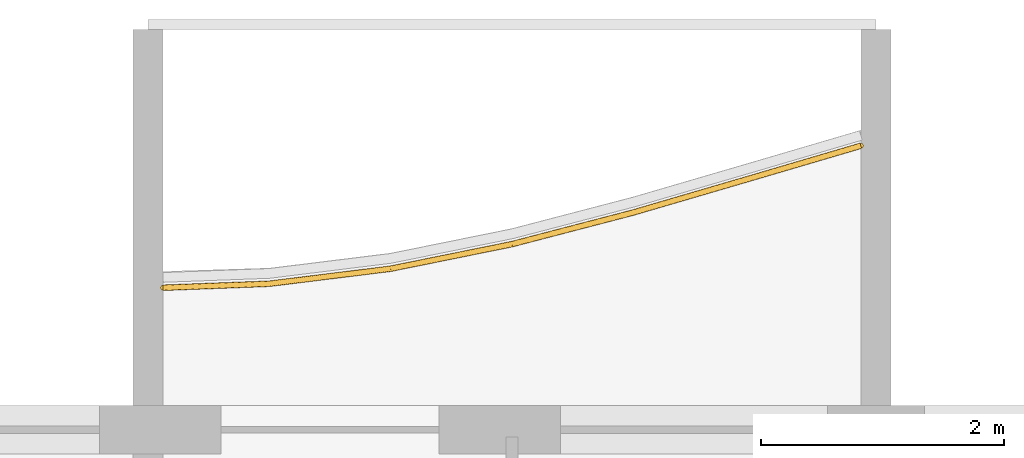
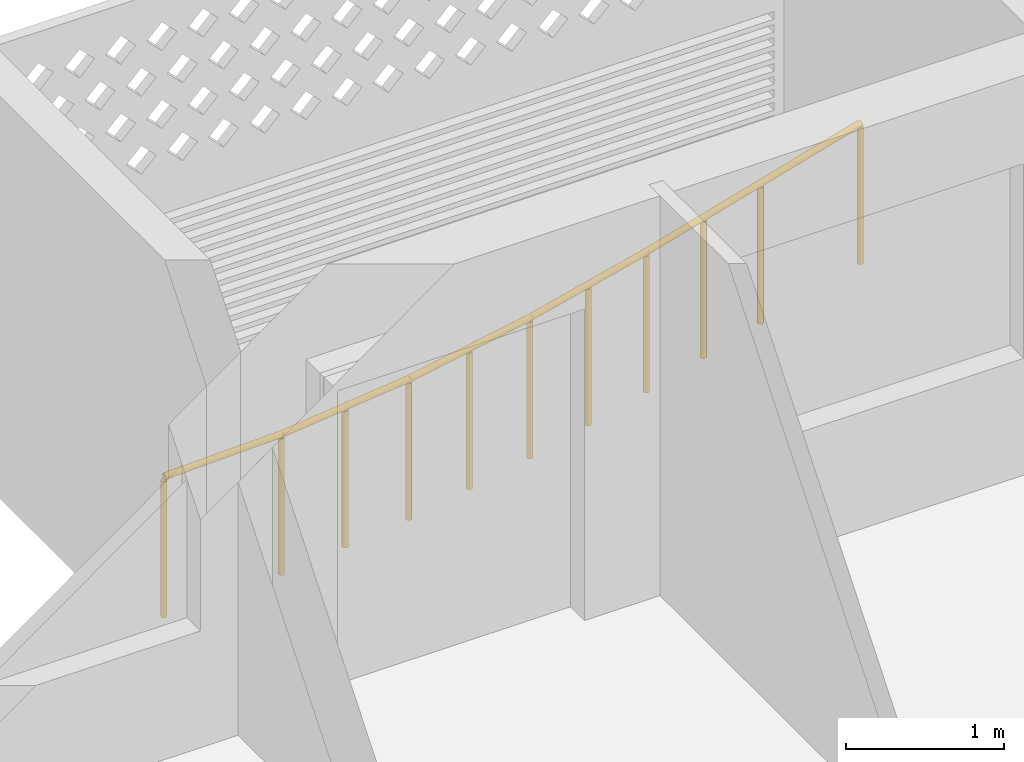
# One storey, part 22 of 27: 1 railing.
"""IFC4 building model written with IfcOpenShell, lengths in metres."""

import ifcopenshell
import ifcopenshell.guid

model = None  # the IFC model being written
_history = None  # IfcOwnerHistory: only IFC2X3 demands one
_inside = {}  # id of a spatial element -> (the spatial element, [elements in it])
_under = {}  # id of a project, library or spatial element -> (it, [spatial elements below it])
_declared = {}  # id of a project -> (the project, [libraries it declares])
_typed = {}  # id of a type object -> (the type object, [elements of that type])
_made_of = {}  # id of a material, layer set ... -> (it, [elements and type objects made of it])


def new_model(schema):
    """Start an empty IFC model of exactly this schema.

    Asked for "IFC4X3", IfcOpenShell would pick the latest addendum, in which some entities
    have other attributes; the version numbers below select the first issue.
    IFC2X3 requires an IfcOwnerHistory on every rooted entity: one is made here for all.
    """
    global model, _history
    if schema == "IFC4X3":
        model = ifcopenshell.file(schema_version=(4, 3, 0, 0))
    else:
        model = ifcopenshell.file(schema=schema)
    _inside.clear()
    _under.clear()
    _declared.clear()
    _typed.clear()
    _made_of.clear()
    _history = None
    if model.schema == "IFC2X3":
        org = make("IfcOrganization", Name="unknown")
        user = make(
            "IfcPersonAndOrganization",
            ThePerson=make("IfcPerson", FamilyName="unknown"),
            TheOrganization=org,
        )
        app = make(
            "IfcApplication",
            ApplicationDeveloper=org,
            Version="unknown",
            ApplicationFullName="unknown",
            ApplicationIdentifier="unknown",
        )
        _history = make(
            "IfcOwnerHistory",
            OwningUser=user,
            OwningApplication=app,
            ChangeAction="ADDED",
            CreationDate=0,
        )
    return model


def make(cls, **values):
    """One entity of the class cls with the attributes given. An attribute that is None is left unset."""
    return model.create_entity(
        cls, **{name: value for name, value in values.items() if value is not None}
    )


def rooted(cls, **values):
    """An entity with a GlobalId (a new one), such as an element, a storey or a relation."""
    return make(cls, GlobalId=ifcopenshell.guid.new(), OwnerHistory=_history, **values)


def si_unit(unit_type, name, prefix=None):
    """IfcSIUnit, for example si_unit("LENGTHUNIT", "METRE", prefix="MILLI")."""
    return make("IfcSIUnit", UnitType=unit_type, Prefix=prefix, Name=name)


def assignment(units):
    """IfcUnitAssignment: the units of a project."""
    return None if units is None else make("IfcUnitAssignment", Units=units)


def point(xyz):
    """IfcCartesianPoint."""
    return None if xyz is None else make("IfcCartesianPoint", Coordinates=xyz)


def direction(xyz):
    """IfcDirection."""
    return None if xyz is None else make("IfcDirection", DirectionRatios=xyz)


def frame(location, z_axis=None, x_axis=None):
    """IfcAxis2Placement3D, a coordinate frame: its origin and axes. An axis left out is left unset."""
    return make(
        "IfcAxis2Placement3D",
        Location=point(location),
        Axis=direction(z_axis),
        RefDirection=direction(x_axis),
    )


def frame_2d(location, x_axis=None):
    """IfcAxis2Placement2D, a coordinate frame in the plane: its origin and x axis."""
    return make(
        "IfcAxis2Placement2D", Location=point(location), RefDirection=direction(x_axis)
    )


def origin():
    """The frame at (0, 0, 0) with its axes left unset."""
    return frame((0.0, 0.0, 0.0))


def origin_2d():
    """The frame at (0, 0) in the plane with its x axis left unset."""
    return frame_2d((0.0, 0.0))


def place(relative_to, where):
    """IfcLocalPlacement: puts the frame where relative to a parent placement (None: the world)."""
    return make(
        "IfcLocalPlacement", PlacementRelTo=relative_to, RelativePlacement=where
    )


def context(
    kind, dimensions, precision=None, world=None, true_north=None, identifier=None
):
    """IfcGeometricRepresentationContext, for example the 3D "Model" context."""
    return make(
        "IfcGeometricRepresentationContext",
        ContextIdentifier=identifier,
        ContextType=kind,
        CoordinateSpaceDimension=dimensions,
        Precision=precision,
        WorldCoordinateSystem=world,
        TrueNorth=true_north,
    )


def subcontext(parent, identifier, kind, view, scale=None):
    """IfcGeometricRepresentationSubContext, for example "Body" below "Model"."""
    return make(
        "IfcGeometricRepresentationSubContext",
        ContextIdentifier=identifier,
        ContextType=kind,
        ParentContext=parent,
        TargetScale=scale,
        TargetView=view,
    )


def project(units=None, contexts=None):
    """IfcProject with its units and contexts."""
    return rooted(
        "IfcProject",
        Name="project",
        RepresentationContexts=contexts,
        UnitsInContext=assignment(units),
    )


def spatial(cls, under=None, at=None, **own):
    """A site, building, storey or space (cls), placed at a placement, below another one or the project."""
    s = rooted(cls, ObjectPlacement=at, **own)
    if under is not None:
        _under.setdefault(under.id(), (under, []))[1].append(s)
    return s


def profile(cls, at=None, kind="AREA", **sizes):
    """A parametric profile (cls). Its sizes go by their IFC names, for example OverallWidth=200.0."""
    return make(cls, ProfileType=kind, Position=at, **sizes)


def circle(**sizes):
    """IfcCircleProfileDef."""
    return profile("IfcCircleProfileDef", **sizes)


def extrude(swept, where, along, depth):
    """IfcExtrudedAreaSolid: the profile swept, set in the frame where, extruded along a direction by depth."""
    return make(
        "IfcExtrudedAreaSolid",
        SweptArea=swept,
        Position=where,
        ExtrudedDirection=direction(along),
        Depth=depth,
    )


def shape(context_of_items, identifier, shape_type, items):
    """IfcShapeRepresentation: the items that make up one representation, for example the "Body"."""
    return make(
        "IfcShapeRepresentation",
        ContextOfItems=context_of_items,
        RepresentationIdentifier=identifier,
        RepresentationType=shape_type,
        Items=items,
    )


def material(Name=None, Category=None):
    """IfcMaterial."""
    return make("IfcMaterial", Name=Name, Category=Category)


def made_of(thing, what):
    """Note that an element or type object is made of a material, layer set ...; save() writes the relation."""
    if what is not None:
        _made_of.setdefault(what.id(), (what, []))[1].append(thing)
    return thing


def type_object(cls, material=None, **own):
    """A type object (cls), such as IfcWallType, which elements share."""
    return made_of(rooted(cls, **own), material)


def element(
    cls,
    number,
    at=None,
    inside=None,
    cuts=None,
    type_object=None,
    material=None,
    context=None,
    identifier="Body",
    shape_type=None,
    held_by="IfcProductDefinitionShape",
    body=None,
    shapes=None,
    **own,
):
    """One element of the class cls, such as IfcWall. Its Tag is "e" and its number.

    at: its placement. inside: the storey or other place that contains it. cuts: it is an
    opening in that element (IfcRelVoidsElement). A single representation is given by context,
    identifier, shape_type and body (its items); several are given by shapes. held_by: the class
    of the entity that holds the representations. save() writes the other relations.
    """
    e = rooted(cls, Tag="e%d" % number, ObjectPlacement=at, **own)
    if body is not None:
        shapes = [shape(context, identifier, shape_type, body)]
    if shapes is not None:
        e.Representation = make(held_by, Representations=shapes)
    if inside is not None:
        _inside.setdefault(inside.id(), (inside, []))[1].append(e)
    if cuts is not None:
        rooted(
            "IfcRelVoidsElement", RelatingBuildingElement=cuts, RelatedOpeningElement=e
        )
    if type_object is not None:
        _typed.setdefault(type_object.id(), (type_object, []))[1].append(e)
    return made_of(e, material)


def aggregate(whole, parts):
    """IfcRelAggregates: a whole, such as a stair, and the parts it consists of."""
    return rooted("IfcRelAggregates", RelatingObject=whole, RelatedObjects=parts)


def save(model, path):
    """Write the relations noted so far, then the file.

    IfcRelAggregates (storeys below a building ...), IfcRelContainedInSpatialStructure (elements
    in a storey), IfcRelDefinesByType, IfcRelAssociatesMaterial and IfcRelDeclares: one each for
    every whole, place, type object, material and project.
    """
    for whole, parts in _under.values():
        aggregate(whole, parts)
    for where, things in _inside.values():
        rooted(
            "IfcRelContainedInSpatialStructure",
            RelatedElements=things,
            RelatingStructure=where,
        )
    for kind, things in _typed.values():
        rooted("IfcRelDefinesByType", RelatedObjects=things, RelatingType=kind)
    for what, things in _made_of.values():
        rooted("IfcRelAssociatesMaterial", RelatedObjects=things, RelatingMaterial=what)
    for by, libraries in _declared.values():
        rooted("IfcRelDeclares", RelatingContext=by, RelatedDefinitions=libraries)
    model.write(path)


model = new_model("IFC4")

# Units and contexts
model_context = context("Model", 3, precision=1e-05, world=origin(), true_north=direction((0.0, 1.0)))
body_context = subcontext(model_context, "Body", "Model", "MODEL_VIEW")
ifc_project = project(units=[si_unit("LENGTHUNIT", "METRE"), si_unit("AREAUNIT", "SQUARE_METRE"), si_unit("VOLUMEUNIT", "CUBIC_METRE"), si_unit("PLANEANGLEUNIT", "RADIAN"), si_unit("MASSUNIT", "GRAM", prefix="KILO")], contexts=[model_context])

# Site, building, storey
site_placement = place(None, origin())
site = spatial("IfcSite", under=ifc_project, at=site_placement, CompositionType="ELEMENT")
building_placement = place(site_placement, origin())
building = spatial("IfcBuilding", under=site, at=building_placement, Name="Poui Terraces", CompositionType="ELEMENT")
storey_placement = place(building_placement, frame((0.0, 0.0, 195.0)))
storey = spatial("IfcBuildingStorey", under=building, at=storey_placement, Name="L54", CompositionType="ELEMENT", Elevation=195.0)

# Railing
ifc_material = material(Name="Painted steel fretwork", Category="steel")
railing_type = type_object("IfcRailingType", Name="BALCONY GUARD 1100", PredefinedType="GUARDRAIL", material=ifc_material)
railing_placement = place(storey_placement, frame((54.125, 42.3701171875, 0.0)))
element("IfcRailing", 1, at=railing_placement, inside=storey, type_object=railing_type, Name="BALCONY GUARD", PredefinedType="GUARDRAIL", context=body_context, shape_type="SweptSolid", body=[
    extrude(circle(Radius=0.02392578125, at=origin_2d()), frame((0.0, 0.0, 1.076171875), z_axis=(0.999291337102, 0.037640717218, 0.0), x_axis=(-0.037640717218, 0.999291337102, 0.0)), (0.0, 0.0, 1.0), 0.875732421875),
    extrude(circle(Radius=0.02392578125, at=origin_2d()), frame((0.875, 0.032958984375, 1.076171875), z_axis=(0.992426262271, 0.122841824944, 0.0), x_axis=(-0.122841824944, 0.992426262271, 0.0)), (0.0, 0.0, 1.0), 1.007568359375),
    extrude(circle(Radius=0.02392578125, at=origin_2d()), frame((1.875, 0.15673828125, 1.076171875), z_axis=(0.980080566497, 0.198600310106, 0.0), x_axis=(-0.198600310106, 0.980080566497, 0.0)), (0.0, 0.0, 1.0), 1.020263671875),
    extrude(circle(Radius=0.02392578125, at=origin_2d()), frame((2.875, 0.359375, 1.076171875), z_axis=(0.967647370695, 0.252306492164, 0.0), x_axis=(-0.252306492164, 0.967647370695, 0.0)), (0.0, 0.0, 1.0), 1.033447265625),
    extrude(circle(Radius=0.02392578125, at=origin_2d()), frame((3.875, 0.6201171875, 1.076171875), z_axis=(0.959789776105, 0.280719763617, 0.0), x_axis=(-0.280719763617, 0.959789776105, 0.0)), (0.0, 0.0, 1.0), 1.0419921875),
    extrude(circle(Radius=0.02392578125, at=origin_2d()), frame((4.875, 0.91259765625, 1.076171875), z_axis=(0.959301544877, 0.282383685783, 0.0), x_axis=(-0.282383685783, 0.959301544877, 0.0)), (0.0, 0.0, 1.0), 0.912109375),
    extrude(circle(Radius=0.02099609375, at=origin_2d()), origin(), (0.0, 0.0, 1.0), 1.052001953125),
    extrude(circle(Radius=0.02099609375, at=origin_2d()), frame((0.875, 0.032958984375, 0.0)), (0.0, 0.0, 1.0), 1.052001953125),
    extrude(circle(Radius=0.02099609375, at=origin_2d()), frame((1.375, 0.0947265625, 0.0)), (0.0, 0.0, 1.0), 1.052001953125),
    extrude(circle(Radius=0.02099609375, at=origin_2d()), frame((1.875, 0.15673828125, 0.0)), (0.0, 0.0, 1.0), 1.052001953125),
    extrude(circle(Radius=0.02099609375, at=origin_2d()), frame((2.375, 0.258056640625, 0.0)), (0.0, 0.0, 1.0), 1.052001953125),
    extrude(circle(Radius=0.02099609375, at=origin_2d()), frame((2.875, 0.359375, 0.0)), (0.0, 0.0, 1.0), 1.052001953125),
    extrude(circle(Radius=0.02099609375, at=origin_2d()), frame((3.375, 0.48974609375, 0.0)), (0.0, 0.0, 1.0), 1.052001953125),
    extrude(circle(Radius=0.02099609375, at=origin_2d()), frame((3.875, 0.6201171875, 0.0)), (0.0, 0.0, 1.0), 1.052001953125),
    extrude(circle(Radius=0.02099609375, at=origin_2d()), frame((4.375, 0.766357421875, 0.0)), (0.0, 0.0, 1.0), 1.052001953125),
    extrude(circle(Radius=0.02099609375, at=origin_2d()), frame((4.875, 0.91259765625, 0.0)), (0.0, 0.0, 1.0), 1.052001953125),
    extrude(circle(Radius=0.02099609375, at=origin_2d()), frame((5.75, 1.170166015625, 0.0)), (0.0, 0.0, 1.0), 1.052001953125),
])

save(model, "model.ifc")
